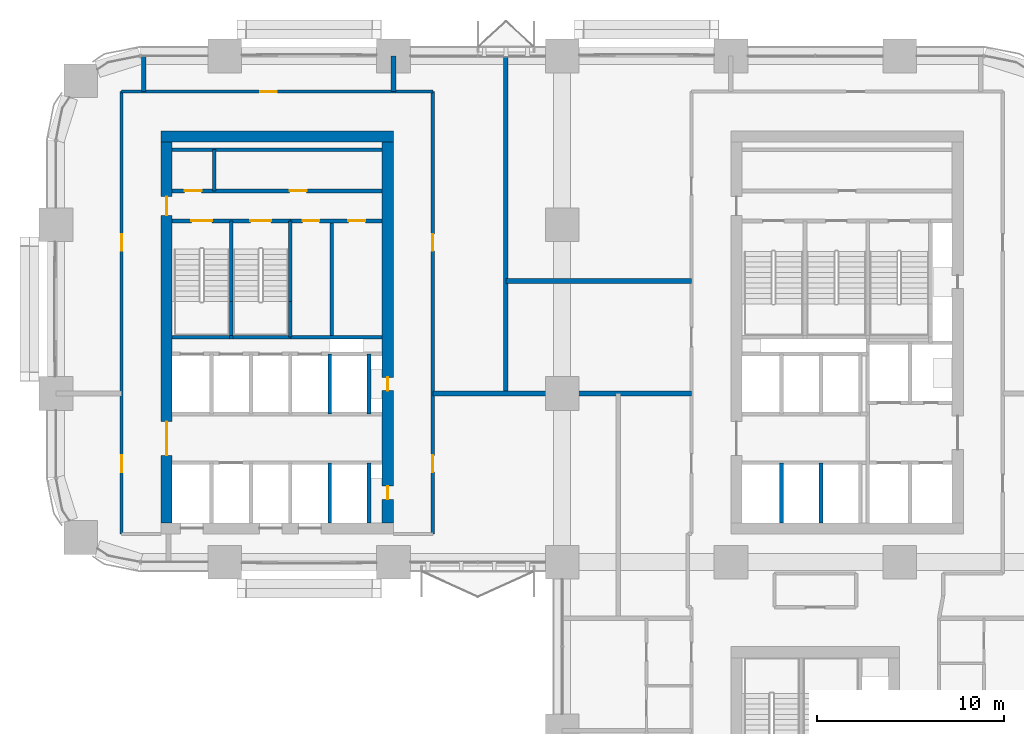
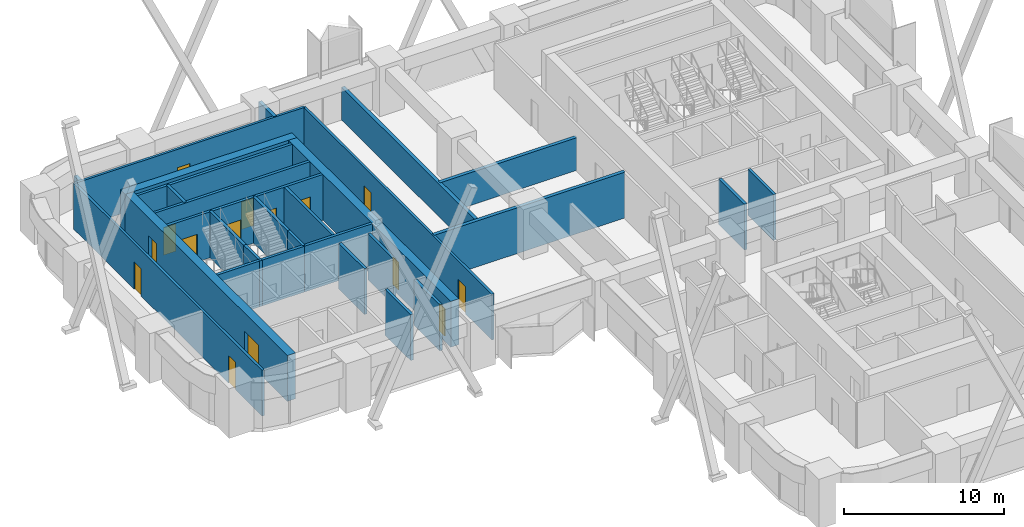
# One storey, part 15 of 19: 31 walls, 15 doors, 15 openings.
"""IFC4 building model written with IfcOpenShell, lengths in metres."""

from ifc_helpers import new_model, si_unit, direction, frame, frame_2d, origin, place, context, subcontext, project, spatial, rectangle, extrude, material, layer, layer_set, type_object, element, fill, save


model = new_model("IFC4")

# Units and contexts
model_context = context("Model", 3, precision=1e-05, world=origin(), true_north=direction((0.0, 1.0)))
body_context = subcontext(model_context, "Body", "Model", "MODEL_VIEW")
ifc_project = project(units=[si_unit("LENGTHUNIT", "METRE"), si_unit("AREAUNIT", "SQUARE_METRE"), si_unit("VOLUMEUNIT", "CUBIC_METRE"), si_unit("PLANEANGLEUNIT", "RADIAN"), si_unit("MASSUNIT", "GRAM", prefix="KILO")], contexts=[model_context])

# Site, building, storey
site_placement = place(None, origin())
site = spatial("IfcSite", under=ifc_project, at=site_placement, CompositionType="ELEMENT")
building_placement = place(site_placement, origin())
building = spatial("IfcBuilding", under=site, at=building_placement, Name="Tessera Arch", CompositionType="ELEMENT")
storey_placement = place(building_placement, frame((0.0, 0.0, 93.0)))
storey = spatial("IfcBuildingStorey", under=building, at=storey_placement, Name="L21", CompositionType="ELEMENT", Elevation=93.0)

# Walls
ifc_material_1 = material(Name="Gypsum board on steel stud", Category="steel")
ifc_layer_1 = layer(ifc_material_1, 0.125)
ifc_layer_set_1 = layer_set([ifc_layer_1], Name="Core partition 125 EI 60")
wall_type_1 = type_object("IfcWallType", Name="Core partition 125 EI 60", PredefinedType="PARTITIONING", material=ifc_layer_set_1)
wall_1_placement = place(storey_placement, frame((8.43994140625, 46.800048828125, 0.0), z_axis=(0.0, 0.0, 1.0), x_axis=(0.0, 1.0, 0.0)))
element("IfcWall", 1, at=wall_1_placement, inside=storey, type_object=wall_type_1, Name="L21 C2 partition wall 3", PredefinedType="PARTITIONING", context=body_context, shape_type="SweptSolid", body=[
    extrude(rectangle(XDim=2.199951171875, YDim=0.199951171875, at=frame_2d((1.10009765625, 0.0))), origin(), (0.0, 0.0, 1.0), 3.5),
])
wall_2_placement = place(storey_placement, frame((14.705078125, 39.0, 0.0), z_axis=(0.0, 0.0, 1.0), x_axis=(0.0, 1.0, 0.0)))
element("IfcWall", 2, at=wall_2_placement, inside=storey, type_object=wall_type_1, Name="L21 C2 partition wall 14", PredefinedType="PARTITIONING", context=body_context, shape_type="SweptSolid", body=[
    extrude(rectangle(XDim=6.199951171875, YDim=0.199951171875, at=frame_2d((3.10009765625, 0.0))), origin(), (0.0, 0.0, 1.0), 3.5),
])

# Wall, openings, doors
wall_3_placement = place(storey_placement, frame((12.5, 45.199951171875, 0.0), z_axis=(0.0, 0.0, 1.0), x_axis=(1.0, 0.0, 0.0)))
wall_3 = element("IfcWall", 3, at=wall_3_placement, inside=storey, type_object=wall_type_1, Name="L21 C2 partition wall 24", PredefinedType="PARTITIONING", context=body_context, shape_type="SweptSolid", body=[
    extrude(rectangle(XDim=4.89990234375, YDim=0.199951171875, at=frame_2d((2.449951171875, 0.0))), origin(), (0.0, 0.0, 1.0), 3.5),
])
opening_1_placement = place(wall_3_placement, frame((0.652587890625, 0.0, 0.0)))
opening_1 = element("IfcOpeningElement", 4, at=opening_1_placement, cuts=wall_3, Name="Opening L21-C29", PredefinedType="OPENING", context=body_context, shape_type="SweptSolid", body=[
    extrude(rectangle(XDim=0.89990234375, YDim=2.10009765625, at=frame_2d((0.449951171875, 1.050048828125))), frame((0.0, 0.10986328125, 0.0), z_axis=(0.0, -1.0, 0.0), x_axis=(1.0, 0.0, 0.0)), (0.0, 0.0, 1.0), 0.219970703125),
])
opening_2_placement = place(wall_3_placement, frame((3.1025390625, 0.0, 0.0)))
opening_2 = element("IfcOpeningElement", 5, at=opening_2_placement, cuts=wall_3, Name="Opening L21-C30", PredefinedType="OPENING", context=body_context, shape_type="SweptSolid", body=[
    extrude(rectangle(XDim=0.89990234375, YDim=2.10009765625, at=frame_2d((0.449951171875, 1.050048828125))), frame((0.0, 0.10986328125, 0.0), z_axis=(0.0, -1.0, 0.0), x_axis=(1.0, 0.0, 0.0)), (0.0, 0.0, 1.0), 0.219970703125),
])
ifc_material_2 = material(Name="Steel door leaf", Category="steel")
door_type_1 = type_object("IfcDoorType", Name="Store door FD30S 900 x 2100", OperationType="SINGLE_SWING_LEFT", PredefinedType="DOOR", material=ifc_material_2)
door_1_placement = place(opening_1_placement, origin())
door_1 = element("IfcDoor", 6, at=door_1_placement, inside=storey, type_object=door_type_1, Name="L21 C2 door 17 C29 type D09", OperationType="SINGLE_SWING_LEFT", OverallHeight=2.10009765625, OverallWidth=0.89990234375, PredefinedType="DOOR", context=body_context, shape_type="SweptSolid", body=[
    extrude(rectangle(XDim=0.89990234375, YDim=2.10009765625, at=frame_2d((0.449951171875, 1.050048828125))), frame((0.0, 0.02490234375, 0.0), z_axis=(0.0, -1.0, 0.0), x_axis=(1.0, 0.0, 0.0)), (0.0, 0.0, 1.0), 0.050048828125),
])
fill(opening_1, door_1)
door_2_placement = place(opening_2_placement, origin())
door_2 = element("IfcDoor", 7, at=door_2_placement, inside=storey, type_object=door_type_1, Name="L21 C2 door 18 C30 type D09", OperationType="SINGLE_SWING_RIGHT", OverallHeight=2.10009765625, OverallWidth=0.89990234375, PredefinedType="DOOR", context=body_context, shape_type="SweptSolid", body=[
    extrude(rectangle(XDim=0.89990234375, YDim=2.10009765625, at=frame_2d((0.449951171875, 1.050048828125))), frame((0.0, 0.02490234375, 0.0), z_axis=(0.0, -1.0, 0.0), x_axis=(1.0, 0.0, 0.0)), (0.0, 0.0, 1.0), 0.050048828125),
])
fill(opening_2, door_2)

wall_4_placement = place(storey_placement, frame((6.199951171875, 46.800048828125, 0.0), z_axis=(0.0, 0.0, 1.0), x_axis=(1.0, 0.0, 0.0)))
wall_4 = element("IfcWall", 8, at=wall_4_placement, inside=storey, type_object=wall_type_1, Name="L21 C2 partition wall 26", PredefinedType="PARTITIONING", context=body_context, shape_type="SweptSolid", body=[
    extrude(rectangle(XDim=11.199951171875, YDim=0.199951171875, at=frame_2d((5.60009765625, 0.0))), origin(), (0.0, 0.0, 1.0), 3.5),
])
opening_3_placement = place(wall_4_placement, frame((0.669921875, 0.0, 0.0)))
opening_3 = element("IfcOpeningElement", 9, at=opening_3_placement, cuts=wall_4, Name="Opening L21-C27", PredefinedType="OPENING", context=body_context, shape_type="SweptSolid", body=[
    extrude(rectangle(XDim=0.89990234375, YDim=2.10009765625, at=frame_2d((0.449951171875, 1.050048828125))), frame((0.0, 0.10986328125, 0.0), z_axis=(0.0, -1.0, 0.0), x_axis=(1.0, 0.0, 0.0)), (0.0, 0.0, 1.0), 0.219970703125),
])
opening_4_placement = place(wall_4_placement, frame((6.27001953125, 0.0, 0.0)))
opening_4 = element("IfcOpeningElement", 10, at=opening_4_placement, cuts=wall_4, Name="Opening L21-C28", PredefinedType="OPENING", context=body_context, shape_type="SweptSolid", body=[
    extrude(rectangle(XDim=0.89990234375, YDim=2.10009765625, at=frame_2d((0.449951171875, 1.050048828125))), frame((0.0, 0.10986328125, 0.0), z_axis=(0.0, -1.0, 0.0), x_axis=(1.0, 0.0, 0.0)), (0.0, 0.0, 1.0), 0.219970703125),
])
door_3_placement = place(opening_3_placement, origin())
door_3 = element("IfcDoor", 11, at=door_3_placement, inside=storey, type_object=door_type_1, Name="L21 C2 door 15 C27 type D09", OperationType="SINGLE_SWING_LEFT", OverallHeight=2.10009765625, OverallWidth=0.89990234375, PredefinedType="DOOR", context=body_context, shape_type="SweptSolid", body=[
    extrude(rectangle(XDim=0.89990234375, YDim=2.10009765625, at=frame_2d((0.449951171875, 1.050048828125))), frame((0.0, 0.02490234375, 0.0), z_axis=(0.0, -1.0, 0.0), x_axis=(1.0, 0.0, 0.0)), (0.0, 0.0, 1.0), 0.050048828125),
])
fill(opening_3, door_3)
door_4_placement = place(opening_4_placement, origin())
door_4 = element("IfcDoor", 12, at=door_4_placement, inside=storey, type_object=door_type_1, Name="L21 C2 door 16 C28 type D09", OperationType="SINGLE_SWING_RIGHT", OverallHeight=2.10009765625, OverallWidth=0.89990234375, PredefinedType="DOOR", context=body_context, shape_type="SweptSolid", body=[
    extrude(rectangle(XDim=0.89990234375, YDim=2.10009765625, at=frame_2d((0.449951171875, 1.050048828125))), frame((0.0, 0.02490234375, 0.0), z_axis=(0.0, -1.0, 0.0), x_axis=(1.0, 0.0, 0.0)), (0.0, 0.0, 1.0), 0.050048828125),
])
fill(opening_4, door_4)

# Walls
wall_5_placement = place(storey_placement, frame((6.199951171875, 49.0, 0.0), z_axis=(0.0, 0.0, 1.0), x_axis=(1.0, 0.0, 0.0)))
element("IfcWall", 13, at=wall_5_placement, inside=storey, type_object=wall_type_1, Name="L21 C2 partition wall 27", PredefinedType="PARTITIONING", context=body_context, shape_type="SweptSolid", body=[
    extrude(rectangle(XDim=11.199951171875, YDim=0.199951171875, at=frame_2d((5.60009765625, 0.0))), origin(), (0.0, 0.0, 1.0), 3.5),
])
ifc_material_3 = material(Name="Concrete C70/85", Category="concrete")
ifc_layer_2 = layer(ifc_material_3, 0.60009765625)
ifc_layer_set_2 = layer_set([ifc_layer_2], Name="Core shell wall 600 C70-85")
wall_type_2 = type_object("IfcWallType", Name="Core shell wall 600 C70-85", PredefinedType="SHEAR", material=ifc_layer_set_2)
wall_6_placement = place(storey_placement, frame((5.60009765625, 49.699951171875, 0.0), z_axis=(0.0, 0.0, 1.0), x_axis=(1.0, 0.0, 0.0)))
element("IfcWall", 14, at=wall_6_placement, inside=storey, type_object=wall_type_2, Name="L21 C2 core wall N", PredefinedType="SHEAR", context=body_context, shape_type="SweptSolid", body=[
    extrude(rectangle(XDim=12.39990234375, YDim=0.60009765625, at=frame_2d((6.199951171875, 0.0))), origin(), (0.0, 0.0, 1.0), 3.5),
])

# Wall, openings, doors
wall_7_placement = place(storey_placement, frame((5.89990234375, 29.10009765625, 0.0), z_axis=(0.0, 0.0, 1.0), x_axis=(0.0, 1.0, 0.0)))
wall_7 = element("IfcWall", 15, at=wall_7_placement, inside=storey, type_object=wall_type_2, Name="L21 C2 core wall W", PredefinedType="SHEAR", context=body_context, shape_type="SweptSolid", body=[
    extrude(rectangle(XDim=20.2998046875, YDim=0.60009765625, at=frame_2d((10.14990234375, 0.0))), origin(), (0.0, 0.0, 1.0), 3.5),
])
opening_5_placement = place(wall_7_placement, frame((3.60009765625, 0.0, 0.0)))
opening_5 = element("IfcOpeningElement", 16, at=opening_5_placement, cuts=wall_7, Name="Opening L21-C23", PredefinedType="OPENING", context=body_context, shape_type="SweptSolid", body=[
    extrude(rectangle(XDim=1.800048828125, YDim=2.10009765625, at=frame_2d((0.89990234375, 1.050048828125))), frame((0.0, 0.31005859375, 0.0), z_axis=(0.0, -1.0, 0.0), x_axis=(1.0, 0.0, 0.0)), (0.0, 0.0, 1.0), 0.6201171875),
])
opening_6_placement = place(wall_7_placement, frame((16.39990234375, 0.0, 0.0)))
opening_6 = element("IfcOpeningElement", 17, at=opening_6_placement, cuts=wall_7, Name="Opening L21-C26", PredefinedType="OPENING", context=body_context, shape_type="SweptSolid", body=[
    extrude(rectangle(XDim=1.0, YDim=2.10009765625, at=frame_2d((0.5, 1.050048828125))), frame((0.0, 0.31005859375, 0.0), z_axis=(0.0, -1.0, 0.0), x_axis=(1.0, 0.0, 0.0)), (0.0, 0.0, 1.0), 0.6201171875),
])
ifc_material_4 = material(Name="Steel door leaf", Category="steel")
door_type_2 = type_object("IfcDoorType", Name="Corridor door FD60 1000 x 2100", OperationType="SINGLE_SWING_LEFT", PredefinedType="DOOR", material=ifc_material_4)
door_5_placement = place(opening_6_placement, origin())
door_5 = element("IfcDoor", 18, at=door_5_placement, inside=storey, type_object=door_type_2, Name="L21 C2 door 14 C26 type D12", OperationType="SINGLE_SWING_RIGHT", OverallHeight=2.10009765625, OverallWidth=1.0, PredefinedType="DOOR", context=body_context, shape_type="SweptSolid", body=[
    extrude(rectangle(XDim=1.0, YDim=2.10009765625, at=frame_2d((0.5, 1.050048828125))), frame((0.0, 0.02490234375, 0.0), z_axis=(0.0, -1.0, 0.0), x_axis=(1.0, 0.0, 0.0)), (0.0, 0.0, 1.0), 0.050048828125),
])
fill(opening_6, door_5)
ifc_material_5 = material(Name="Glazed steel door leaf", Category="steel")
door_type_3 = type_object("IfcDoorType", Name="Lobby double door FD30S 1800 x 2100", OperationType="DOUBLE_DOOR_SINGLE_SWING", PredefinedType="DOOR", material=ifc_material_5)
door_6_placement = place(opening_5_placement, origin())
door_6 = element("IfcDoor", 19, at=door_6_placement, inside=storey, type_object=door_type_3, Name="L21 C2 door 11 C23 type D06", OperationType="DOUBLE_DOOR_SINGLE_SWING", OverallHeight=2.10009765625, OverallWidth=1.800048828125, PredefinedType="DOOR", context=body_context, shape_type="SweptSolid", body=[
    extrude(rectangle(XDim=1.800048828125, YDim=2.10009765625, at=frame_2d((0.89990234375, 1.050048828125))), frame((0.0, 0.02490234375, 0.0), z_axis=(0.0, -1.0, 0.0), x_axis=(1.0, 0.0, 0.0)), (0.0, 0.0, 1.0), 0.050048828125),
])
fill(opening_5, door_6)

wall_8_placement = place(storey_placement, frame((17.699951171875, 29.10009765625, 0.0), z_axis=(0.0, 0.0, 1.0), x_axis=(0.0, 1.0, 0.0)))
wall_8 = element("IfcWall", 20, at=wall_8_placement, inside=storey, type_object=wall_type_2, Name="L21 C2 core wall E", PredefinedType="SHEAR", context=body_context, shape_type="SweptSolid", body=[
    extrude(rectangle(XDim=20.2998046875, YDim=0.60009765625, at=frame_2d((10.14990234375, 0.0))), origin(), (0.0, 0.0, 1.0), 3.5),
])
opening_7_placement = place(wall_8_placement, frame((1.25, 0.0, 0.0)))
opening_7 = element("IfcOpeningElement", 21, at=opening_7_placement, cuts=wall_8, Name="Opening L21-C21", PredefinedType="OPENING", context=body_context, shape_type="SweptSolid", body=[
    extrude(rectangle(XDim=0.699951171875, YDim=2.10009765625, at=frame_2d((0.35009765625, 1.050048828125))), frame((0.0, 0.31005859375, 0.0), z_axis=(0.0, -1.0, 0.0), x_axis=(1.0, 0.0, 0.0)), (0.0, 0.0, 1.0), 0.6201171875),
])
opening_8_placement = place(wall_8_placement, frame((7.050048828125, 0.0, 0.0)))
opening_8 = element("IfcOpeningElement", 22, at=opening_8_placement, cuts=wall_8, Name="Opening L21-C22", PredefinedType="OPENING", context=body_context, shape_type="SweptSolid", body=[
    extrude(rectangle(XDim=0.699951171875, YDim=2.10009765625, at=frame_2d((0.35009765625, 1.050048828125))), frame((0.0, 0.31005859375, 0.0), z_axis=(0.0, -1.0, 0.0), x_axis=(1.0, 0.0, 0.0)), (0.0, 0.0, 1.0), 0.6201171875),
])
ifc_material_6 = material(Name="Steel door leaf", Category="steel")
door_type_4 = type_object("IfcDoorType", Name="Service shaft door FD60 700 x 2100", OperationType="SINGLE_SWING_LEFT", PredefinedType="DOOR", material=ifc_material_6)
door_7_placement = place(opening_7_placement, origin())
door_7 = element("IfcDoor", 23, at=door_7_placement, inside=storey, type_object=door_type_4, Name="L21 C2 door 9 C21 type D07", OperationType="SINGLE_SWING_LEFT", OverallHeight=2.10009765625, OverallWidth=0.699951171875, PredefinedType="DOOR", context=body_context, shape_type="SweptSolid", body=[
    extrude(rectangle(XDim=0.699951171875, YDim=2.10009765625, at=frame_2d((0.35009765625, 1.050048828125))), frame((0.0, 0.02490234375, 0.0), z_axis=(0.0, -1.0, 0.0), x_axis=(1.0, 0.0, 0.0)), (0.0, 0.0, 1.0), 0.050048828125),
])
fill(opening_7, door_7)
door_8_placement = place(opening_8_placement, origin())
door_8 = element("IfcDoor", 24, at=door_8_placement, inside=storey, type_object=door_type_4, Name="L21 C2 door 10 C22 type D07", OperationType="SINGLE_SWING_LEFT", OverallHeight=2.10009765625, OverallWidth=0.699951171875, PredefinedType="DOOR", context=body_context, shape_type="SweptSolid", body=[
    extrude(rectangle(XDim=0.699951171875, YDim=2.10009765625, at=frame_2d((0.35009765625, 1.050048828125))), frame((0.0, 0.02490234375, 0.0), z_axis=(0.0, -1.0, 0.0), x_axis=(1.0, 0.0, 0.0)), (0.0, 0.0, 1.0), 0.050048828125),
])
fill(opening_8, door_8)

# Wall, opening, door
ifc_material_7 = material(Name="Gypsum board on deep steel stud with mineral wool", Category="steel")
ifc_layer_3 = layer(ifc_material_7, 0.175048828125)
ifc_layer_set_3 = layer_set([ifc_layer_3], Name="Corridor wall 175 EI 60")
wall_type_3 = type_object("IfcWallType", Name="Corridor wall 175 EI 60", PredefinedType="PARTITIONING", material=ifc_layer_set_3)
wall_9_placement = place(storey_placement, frame((3.5, 52.10009765625, 0.0), z_axis=(0.0, 0.0, 1.0), x_axis=(1.0, 0.0, 0.0)))
wall_9 = element("IfcWall", 25, at=wall_9_placement, inside=storey, type_object=wall_type_3, Name="L21 partition 9", PredefinedType="PARTITIONING", context=body_context, shape_type="SweptSolid", body=[
    extrude(rectangle(XDim=16.60009765625, YDim=0.175048828125, at=frame_2d((8.300048828125, 0.0))), origin(), (0.0, 0.0, 1.0), 3.5),
])
opening_9_placement = place(wall_9_placement, frame((7.38916015625, 0.0, 0.0)))
opening_9 = element("IfcOpeningElement", 26, at=opening_9_placement, cuts=wall_9, Name="Opening L21-D022", PredefinedType="OPENING", context=body_context, shape_type="SweptSolid", body=[
    extrude(rectangle(XDim=0.89990234375, YDim=2.10009765625, at=frame_2d((0.449951171875, 1.050048828125))), frame((0.0, 0.097412109375, 0.0), z_axis=(0.0, -1.0, 0.0), x_axis=(1.0, 0.0, 0.0)), (0.0, 0.0, 1.0), 0.195068359375),
])
ifc_material_8 = material(Name="Timber door leaf", Category="wood")
door_type_5 = type_object("IfcDoorType", Name="Room door 900 x 2100", OperationType="SINGLE_SWING_LEFT", PredefinedType="DOOR", material=ifc_material_8)
door_9_placement = place(opening_9_placement, origin())
door_9 = element("IfcDoor", 27, at=door_9_placement, inside=storey, type_object=door_type_5, Name="L21 door D022 type D01", OperationType="SINGLE_SWING_RIGHT", OverallHeight=2.10009765625, OverallWidth=0.89990234375, PredefinedType="DOOR", context=body_context, shape_type="SweptSolid", body=[
    extrude(rectangle(XDim=0.89990234375, YDim=2.10009765625, at=frame_2d((0.449951171875, 1.050048828125))), frame((0.0, 0.02490234375, 0.0), z_axis=(0.0, -1.0, 0.0), x_axis=(1.0, 0.0, 0.0)), (0.0, 0.0, 1.0), 0.050048828125),
])
fill(opening_9, door_9)

# Wall, openings, doors
wall_10_placement = place(storey_placement, frame((3.5, 28.5, 0.0), z_axis=(0.0, 0.0, 1.0), x_axis=(0.0, 1.0, 0.0)))
wall_10 = element("IfcWall", 28, at=wall_10_placement, inside=storey, type_object=wall_type_3, Name="L21 partition 11", PredefinedType="PARTITIONING", context=body_context, shape_type="SweptSolid", body=[
    extrude(rectangle(XDim=23.60009765625, YDim=0.175048828125, at=frame_2d((11.800048828125, 0.0))), origin(), (0.0, 0.0, 1.0), 3.5),
])
opening_10_placement = place(wall_10_placement, frame((3.300048828125, 0.0, 0.0)))
opening_10 = element("IfcOpeningElement", 29, at=opening_10_placement, cuts=wall_10, Name="Opening L21-D016", PredefinedType="OPENING", context=body_context, shape_type="SweptSolid", body=[
    extrude(rectangle(XDim=0.89990234375, YDim=2.10009765625, at=frame_2d((0.449951171875, 1.050048828125))), frame((0.0, 0.097412109375, 0.0), z_axis=(0.0, -1.0, 0.0), x_axis=(1.0, 0.0, 0.0)), (0.0, 0.0, 1.0), 0.195068359375),
])
opening_11_placement = place(wall_10_placement, frame((15.10009765625, 0.0, 0.0)))
opening_11 = element("IfcOpeningElement", 30, at=opening_11_placement, cuts=wall_10, Name="Opening L21-D018", PredefinedType="OPENING", context=body_context, shape_type="SweptSolid", body=[
    extrude(rectangle(XDim=0.89990234375, YDim=2.10009765625, at=frame_2d((0.449951171875, 1.050048828125))), frame((0.0, 0.097412109375, 0.0), z_axis=(0.0, -1.0, 0.0), x_axis=(1.0, 0.0, 0.0)), (0.0, 0.0, 1.0), 0.195068359375),
])
door_10_placement = place(opening_10_placement, origin())
door_10 = element("IfcDoor", 31, at=door_10_placement, inside=storey, type_object=door_type_5, Name="L21 door D016 type D01", OperationType="SINGLE_SWING_RIGHT", OverallHeight=2.10009765625, OverallWidth=0.89990234375, PredefinedType="DOOR", context=body_context, shape_type="SweptSolid", body=[
    extrude(rectangle(XDim=0.89990234375, YDim=2.10009765625, at=frame_2d((0.449951171875, 1.050048828125))), frame((0.0, 0.02490234375, 0.0), z_axis=(0.0, -1.0, 0.0), x_axis=(1.0, 0.0, 0.0)), (0.0, 0.0, 1.0), 0.050048828125),
])
fill(opening_10, door_10)
door_11_placement = place(opening_11_placement, origin())
door_11 = element("IfcDoor", 32, at=door_11_placement, inside=storey, type_object=door_type_5, Name="L21 door D018 type D01", OperationType="SINGLE_SWING_RIGHT", OverallHeight=2.10009765625, OverallWidth=0.89990234375, PredefinedType="DOOR", context=body_context, shape_type="SweptSolid", body=[
    extrude(rectangle(XDim=0.89990234375, YDim=2.10009765625, at=frame_2d((0.449951171875, 1.050048828125))), frame((0.0, 0.02490234375, 0.0), z_axis=(0.0, -1.0, 0.0), x_axis=(1.0, 0.0, 0.0)), (0.0, 0.0, 1.0), 0.050048828125),
])
fill(opening_11, door_11)

wall_11_placement = place(storey_placement, frame((20.10009765625, 28.5, 0.0), z_axis=(0.0, 0.0, 1.0), x_axis=(0.0, 1.0, 0.0)))
wall_11 = element("IfcWall", 33, at=wall_11_placement, inside=storey, type_object=wall_type_3, Name="L21 partition 12", PredefinedType="PARTITIONING", context=body_context, shape_type="SweptSolid", body=[
    extrude(rectangle(XDim=23.60009765625, YDim=0.175048828125, at=frame_2d((11.800048828125, 0.0))), origin(), (0.0, 0.0, 1.0), 3.5),
])
opening_12_placement = place(wall_11_placement, frame((3.300048828125, 0.0, 0.0)))
opening_12 = element("IfcOpeningElement", 34, at=opening_12_placement, cuts=wall_11, Name="Opening L21-D015", PredefinedType="OPENING", context=body_context, shape_type="SweptSolid", body=[
    extrude(rectangle(XDim=0.89990234375, YDim=2.10009765625, at=frame_2d((0.449951171875, 1.050048828125))), frame((0.0, 0.097412109375, 0.0), z_axis=(0.0, -1.0, 0.0), x_axis=(1.0, 0.0, 0.0)), (0.0, 0.0, 1.0), 0.195068359375),
])
opening_13_placement = place(wall_11_placement, frame((15.10009765625, 0.0, 0.0)))
opening_13 = element("IfcOpeningElement", 35, at=opening_13_placement, cuts=wall_11, Name="Opening L21-D020", PredefinedType="OPENING", context=body_context, shape_type="SweptSolid", body=[
    extrude(rectangle(XDim=0.89990234375, YDim=2.10009765625, at=frame_2d((0.449951171875, 1.050048828125))), frame((0.0, 0.097412109375, 0.0), z_axis=(0.0, -1.0, 0.0), x_axis=(1.0, 0.0, 0.0)), (0.0, 0.0, 1.0), 0.195068359375),
])
door_12_placement = place(opening_12_placement, origin())
door_12 = element("IfcDoor", 36, at=door_12_placement, inside=storey, type_object=door_type_5, Name="L21 door D015 type D01", OperationType="SINGLE_SWING_RIGHT", OverallHeight=2.10009765625, OverallWidth=0.89990234375, PredefinedType="DOOR", context=body_context, shape_type="SweptSolid", body=[
    extrude(rectangle(XDim=0.89990234375, YDim=2.10009765625, at=frame_2d((0.449951171875, 1.050048828125))), frame((0.0, 0.02490234375, 0.0), z_axis=(0.0, -1.0, 0.0), x_axis=(1.0, 0.0, 0.0)), (0.0, 0.0, 1.0), 0.050048828125),
])
fill(opening_12, door_12)
door_13_placement = place(opening_13_placement, origin())
door_13 = element("IfcDoor", 37, at=door_13_placement, inside=storey, type_object=door_type_5, Name="L21 door D020 type D01", OperationType="SINGLE_SWING_LEFT", OverallHeight=2.10009765625, OverallWidth=0.89990234375, PredefinedType="DOOR", context=body_context, shape_type="SweptSolid", body=[
    extrude(rectangle(XDim=0.89990234375, YDim=2.10009765625, at=frame_2d((0.449951171875, 1.050048828125))), frame((0.0, 0.02490234375, 0.0), z_axis=(0.0, -1.0, 0.0), x_axis=(1.0, 0.0, 0.0)), (0.0, 0.0, 1.0), 0.050048828125),
])
fill(opening_13, door_13)

# Walls
ifc_material_9 = material(Name="Double gypsum board on twin steel stud with acoustic mineral wool", Category="steel")
ifc_layer_4 = layer(ifc_material_9, 0.25)
ifc_layer_set_4 = layer_set([ifc_layer_4], Name="Party wall 250 EI 60")
wall_type_4 = type_object("IfcWallType", Name="Party wall 250 EI 60", PredefinedType="PARTITIONING", material=ifc_layer_set_4)
wall_12_placement = place(storey_placement, frame((20.10009765625, 36.0, 0.0), z_axis=(0.0, 0.0, 1.0), x_axis=(1.0, 0.0, 0.0)))
element("IfcWall", 38, at=wall_12_placement, inside=storey, type_object=wall_type_4, Name="L21 partition 30", PredefinedType="PARTITIONING", context=body_context, shape_type="SweptSolid", body=[
    extrude(rectangle(XDim=13.7998046875, YDim=0.25, at=frame_2d((6.89990234375, 0.0))), origin(), (0.0, 0.0, 1.0), 3.5),
])
wall_13_placement = place(storey_placement, frame((24.0, 42.0, 0.0), z_axis=(0.0, 0.0, 1.0), x_axis=(1.0, 0.0, 0.0)))
element("IfcWall", 39, at=wall_13_placement, inside=storey, type_object=wall_type_4, Name="L21 partition 32", PredefinedType="PARTITIONING", context=body_context, shape_type="SweptSolid", body=[
    extrude(rectangle(XDim=9.89990234375, YDim=0.25, at=frame_2d((4.949951171875, 0.0))), origin(), (0.0, 0.0, 1.0), 2.5),
])
wall_14_placement = place(storey_placement, frame((4.677978515625, 52.10009765625, 0.0), z_axis=(0.0, 0.0, 1.0), x_axis=(0.0, 1.0, 0.0)))
element("IfcWall", 40, at=wall_14_placement, inside=storey, type_object=wall_type_4, Name="L21 partition 33", PredefinedType="PARTITIONING", context=body_context, shape_type="SweptSolid", body=[
    extrude(rectangle(XDim=1.89990234375, YDim=0.25, at=frame_2d((0.949951171875, 0.0))), origin(), (0.0, 0.0, 1.0), 2.5),
])
wall_15_placement = place(storey_placement, frame((18.0, 52.10009765625, 0.0), z_axis=(0.0, 0.0, 1.0), x_axis=(0.0, 1.0, 0.0)))
element("IfcWall", 41, at=wall_15_placement, inside=storey, type_object=wall_type_4, Name="L21 partition 35", PredefinedType="PARTITIONING", context=body_context, shape_type="SweptSolid", body=[
    extrude(rectangle(XDim=1.89990234375, YDim=0.25, at=frame_2d((0.949951171875, 0.0))), origin(), (0.0, 0.0, 1.0), 3.5),
])
wall_16_placement = place(storey_placement, frame((24.0, 36.0, 0.0), z_axis=(0.0, 0.0, 1.0), x_axis=(0.0, 1.0, 0.0)))
element("IfcWall", 42, at=wall_16_placement, inside=storey, type_object=wall_type_4, Name="L21 partition 36", PredefinedType="PARTITIONING", context=body_context, shape_type="SweptSolid", body=[
    extrude(rectangle(XDim=18.0, YDim=0.25, at=frame_2d((9.0, 0.0))), origin(), (0.0, 0.0, 1.0), 2.5),
])
ifc_material_10 = material(Name="Concrete C40/50", Category="concrete")
ifc_layer_5 = layer(ifc_material_10, 0.199951171875)
ifc_layer_set_5 = layer_set([ifc_layer_5], Name="Shaft wall 200 EI 120")
wall_type_5 = type_object("IfcWallType", Name="Shaft wall 200 EI 120", PredefinedType="SOLIDWALL", material=ifc_layer_set_5)
for number, where, z_axis, x_axis, name in (
    (43, (38.699951171875, 29.10009765625, 0.0), (0.0, 0.0, 1.0), (0.0, 1.0, 0.0), "L21 C1 shaft wall 1"),
    (44, (40.800048828125, 29.10009765625, 0.0), (0.0, 0.0, 1.0), (0.0, 1.0, 0.0), "L21 C1 shaft wall 5"),
    (45, (14.60009765625, 29.10009765625, 0.0), (0.0, 0.0, 1.0), (0.0, 1.0, 0.0), "L21 C2 shaft wall 12"),
):
    element("IfcWall", number, at=place(storey_placement, frame(where, z_axis=z_axis, x_axis=x_axis)), inside=storey, type_object=wall_type_5, Name=name, PredefinedType="SOLIDWALL", context=body_context, shape_type="SweptSolid", body=[
        extrude(rectangle(XDim=3.199951171875, YDim=0.199951171875, at=frame_2d((1.60009765625, 0.0))), origin(), (0.0, 0.0, 1.0), 3.5),
    ])
wall_17_placement = place(storey_placement, frame((14.60009765625, 34.89990234375, 0.0), z_axis=(0.0, 0.0, 1.0), x_axis=(0.0, 1.0, 0.0)))
element("IfcWall", 46, at=wall_17_placement, inside=storey, type_object=wall_type_5, Name="L21 C2 shaft wall 13", PredefinedType="SOLIDWALL", context=body_context, shape_type="SweptSolid", body=[
    extrude(rectangle(XDim=3.2001953125, YDim=0.199951171875, at=frame_2d((1.60009765625, 0.0))), origin(), (0.0, 0.0, 1.0), 3.5),
])
wall_18_placement = place(storey_placement, frame((16.699951171875, 29.10009765625, 0.0), z_axis=(0.0, 0.0, 1.0), x_axis=(0.0, 1.0, 0.0)))
element("IfcWall", 47, at=wall_18_placement, inside=storey, type_object=wall_type_5, Name="L21 C2 shaft wall 15", PredefinedType="SOLIDWALL", context=body_context, shape_type="SweptSolid", body=[
    extrude(rectangle(XDim=3.199951171875, YDim=0.199951171875, at=frame_2d((1.60009765625, 0.0))), origin(), (0.0, 0.0, 1.0), 3.5),
])
wall_19_placement = place(storey_placement, frame((16.699951171875, 34.89990234375, 0.0), z_axis=(0.0, 0.0, 1.0), x_axis=(0.0, 1.0, 0.0)))
element("IfcWall", 48, at=wall_19_placement, inside=storey, type_object=wall_type_5, Name="L21 C2 shaft wall 16", PredefinedType="SOLIDWALL", context=body_context, shape_type="SweptSolid", body=[
    extrude(rectangle(XDim=3.2001953125, YDim=0.199951171875, at=frame_2d((1.60009765625, 0.0))), origin(), (0.0, 0.0, 1.0), 3.5),
])
wall_20_placement = place(storey_placement, frame((12.5, 39.0, 0.0), z_axis=(0.0, 0.0, 1.0), x_axis=(1.0, 0.0, 0.0)))
element("IfcWall", 49, at=wall_20_placement, inside=storey, type_object=wall_type_5, Name="L21 C2 shaft wall 20", PredefinedType="SOLIDWALL", context=body_context, shape_type="SweptSolid", body=[
    extrude(rectangle(XDim=4.89990234375, YDim=0.199951171875, at=frame_2d((2.449951171875, 0.0))), origin(), (0.0, 0.0, 1.0), 3.5),
])
ifc_material_11 = material(Name="Concrete C40/50", Category="concrete")
ifc_layer_6 = layer(ifc_material_11, 0.199951171875)
ifc_layer_set_6 = layer_set([ifc_layer_6], Name="Stair well wall 200 REI 180")
wall_type_6 = type_object("IfcWallType", Name="Stair well wall 200 REI 180", PredefinedType="SOLIDWALL", material=ifc_layer_set_6)
wall_21_placement = place(storey_placement, frame((9.35009765625, 39.0, 0.0), z_axis=(0.0, 0.0, 1.0), x_axis=(0.0, 1.0, 0.0)))
element("IfcWall", 50, at=wall_21_placement, inside=storey, type_object=wall_type_6, Name="L21 C2 shaft wall 4", PredefinedType="SOLIDWALL", context=body_context, shape_type="SweptSolid", body=[
    extrude(rectangle(XDim=1.89990234375, YDim=0.199951171875, at=frame_2d((0.949951171875, 0.0))), origin(), (0.0, 0.0, 1.0), 3.5),
])
wall_22_placement = place(storey_placement, frame((9.35009765625, 40.89990234375, 0.0), z_axis=(0.0, 0.0, 1.0), x_axis=(0.0, 1.0, 0.0)))
element("IfcWall", 51, at=wall_22_placement, inside=storey, type_object=wall_type_6, Name="L21 C2 shaft wall 5", PredefinedType="SOLIDWALL", context=body_context, shape_type="SweptSolid", body=[
    extrude(rectangle(XDim=4.300048828125, YDim=0.199951171875, at=frame_2d((2.14990234375, 0.0))), origin(), (0.0, 0.0, 1.0), 3.5),
])
wall_23_placement = place(storey_placement, frame((12.5, 39.0, 0.0), z_axis=(0.0, 0.0, 1.0), x_axis=(0.0, 1.0, 0.0)))
element("IfcWall", 52, at=wall_23_placement, inside=storey, type_object=wall_type_6, Name="L21 C2 shaft wall 10", PredefinedType="SOLIDWALL", context=body_context, shape_type="SweptSolid", body=[
    extrude(rectangle(XDim=1.89990234375, YDim=0.199951171875, at=frame_2d((0.949951171875, 0.0))), origin(), (0.0, 0.0, 1.0), 3.5),
])
wall_24_placement = place(storey_placement, frame((12.5, 40.89990234375, 0.0), z_axis=(0.0, 0.0, 1.0), x_axis=(0.0, 1.0, 0.0)))
element("IfcWall", 53, at=wall_24_placement, inside=storey, type_object=wall_type_6, Name="L21 C2 shaft wall 11", PredefinedType="SOLIDWALL", context=body_context, shape_type="SweptSolid", body=[
    extrude(rectangle(XDim=4.300048828125, YDim=0.199951171875, at=frame_2d((2.14990234375, 0.0))), origin(), (0.0, 0.0, 1.0), 3.5),
])
wall_25_placement = place(storey_placement, frame((6.199951171875, 39.0, 0.0), z_axis=(0.0, 0.0, 1.0), x_axis=(1.0, 0.0, 0.0)))
element("IfcWall", 54, at=wall_25_placement, inside=storey, type_object=wall_type_6, Name="L21 C2 shaft wall 21", PredefinedType="SOLIDWALL", context=body_context, shape_type="SweptSolid", body=[
    extrude(rectangle(XDim=3.050048828125, YDim=0.199951171875, at=frame_2d((1.52490234375, 0.0))), origin(), (0.0, 0.0, 1.0), 3.5),
])
wall_26_placement = place(storey_placement, frame((9.25, 39.0, 0.0), z_axis=(0.0, 0.0, 1.0), x_axis=(1.0, 0.0, 0.0)))
element("IfcWall", 55, at=wall_26_placement, inside=storey, type_object=wall_type_6, Name="L21 C2 shaft wall 22", PredefinedType="SOLIDWALL", context=body_context, shape_type="SweptSolid", body=[
    extrude(rectangle(XDim=0.199951171875, YDim=0.199951171875, at=frame_2d((0.10009765625, 0.0))), origin(), (0.0, 0.0, 1.0), 3.5),
])
wall_27_placement = place(storey_placement, frame((9.449951171875, 39.0, 0.0), z_axis=(0.0, 0.0, 1.0), x_axis=(1.0, 0.0, 0.0)))
element("IfcWall", 56, at=wall_27_placement, inside=storey, type_object=wall_type_6, Name="L21 C2 shaft wall 23", PredefinedType="SOLIDWALL", context=body_context, shape_type="SweptSolid", body=[
    extrude(rectangle(XDim=3.050048828125, YDim=0.199951171875, at=frame_2d((1.52490234375, 0.0))), origin(), (0.0, 0.0, 1.0), 3.5),
])

# Wall, openings, doors
wall_28_placement = place(storey_placement, frame((6.199951171875, 45.199951171875, 0.0), z_axis=(0.0, 0.0, 1.0), x_axis=(1.0, 0.0, 0.0)))
wall_28 = element("IfcWall", 57, at=wall_28_placement, inside=storey, type_object=wall_type_6, Name="L21 C2 shaft wall 25", PredefinedType="SOLIDWALL", context=body_context, shape_type="SweptSolid", body=[
    extrude(rectangle(XDim=6.300048828125, YDim=0.199951171875, at=frame_2d((3.14990234375, 0.0))), origin(), (0.0, 0.0, 1.0), 3.5),
])
opening_14_placement = place(wall_28_placement, frame((1.02490234375, 0.0, 0.0)))
opening_14 = element("IfcOpeningElement", 58, at=opening_14_placement, cuts=wall_28, Name="Opening L21-C24", PredefinedType="OPENING", context=body_context, shape_type="SweptSolid", body=[
    extrude(rectangle(XDim=1.10009765625, YDim=2.10009765625, at=frame_2d((0.550048828125, 1.050048828125))), frame((0.0, 0.10986328125, 0.0), z_axis=(0.0, -1.0, 0.0), x_axis=(1.0, 0.0, 0.0)), (0.0, 0.0, 1.0), 0.219970703125),
])
opening_15_placement = place(wall_28_placement, frame((4.175048828125, 0.0, 0.0)))
opening_15 = element("IfcOpeningElement", 59, at=opening_15_placement, cuts=wall_28, Name="Opening L21-C25", PredefinedType="OPENING", context=body_context, shape_type="SweptSolid", body=[
    extrude(rectangle(XDim=1.10009765625, YDim=2.10009765625, at=frame_2d((0.550048828125, 1.050048828125))), frame((0.0, 0.10986328125, 0.0), z_axis=(0.0, -1.0, 0.0), x_axis=(1.0, 0.0, 0.0)), (0.0, 0.0, 1.0), 0.219970703125),
])
ifc_material_12 = material(Name="Steel door leaf", Category="steel")
door_type_6 = type_object("IfcDoorType", Name="Stair door FD60 1100 x 2100", OperationType="SINGLE_SWING_LEFT", PredefinedType="DOOR", material=ifc_material_12)
door_14_placement = place(opening_14_placement, origin())
door_14 = element("IfcDoor", 60, at=door_14_placement, inside=storey, type_object=door_type_6, Name="L21 C2 door 12 C24 type D05", OperationType="SINGLE_SWING_LEFT", OverallHeight=2.10009765625, OverallWidth=1.10009765625, PredefinedType="DOOR", context=body_context, shape_type="SweptSolid", body=[
    extrude(rectangle(XDim=1.10009765625, YDim=2.10009765625, at=frame_2d((0.550048828125, 1.050048828125))), frame((0.0, 0.02490234375, 0.0), z_axis=(0.0, -1.0, 0.0), x_axis=(1.0, 0.0, 0.0)), (0.0, 0.0, 1.0), 0.050048828125),
])
fill(opening_14, door_14)
door_15_placement = place(opening_15_placement, origin())
door_15 = element("IfcDoor", 61, at=door_15_placement, inside=storey, type_object=door_type_6, Name="L21 C2 door 13 C25 type D05", OperationType="SINGLE_SWING_RIGHT", OverallHeight=2.10009765625, OverallWidth=1.10009765625, PredefinedType="DOOR", context=body_context, shape_type="SweptSolid", body=[
    extrude(rectangle(XDim=1.10009765625, YDim=2.10009765625, at=frame_2d((0.550048828125, 1.050048828125))), frame((0.0, 0.02490234375, 0.0), z_axis=(0.0, -1.0, 0.0), x_axis=(1.0, 0.0, 0.0)), (0.0, 0.0, 1.0), 0.050048828125),
])
fill(opening_15, door_15)

save(model, "model.ifc")
